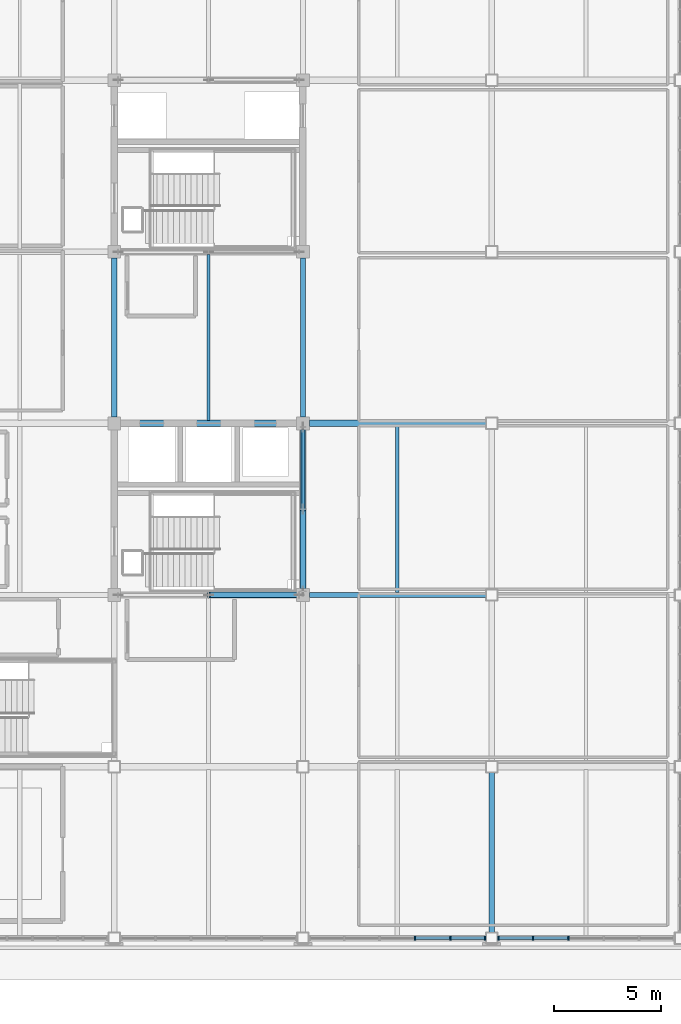
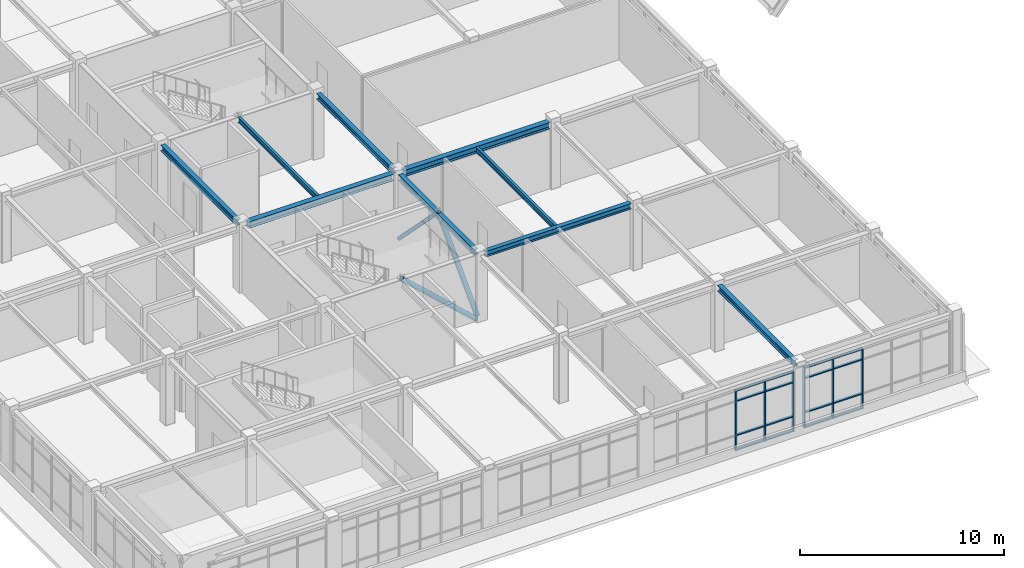
# One storey, part 10 of 64: 25 members, 9 beams, 2 elements without a shape of their own.
"""IFC4 building model written with IfcOpenShell, lengths in metres."""

import ifcopenshell
import ifcopenshell.guid

model = None  # the IFC model being written
_history = None  # IfcOwnerHistory: only IFC2X3 demands one
_inside = {}  # id of a spatial element -> (the spatial element, [elements in it])
_under = {}  # id of a project, library or spatial element -> (it, [spatial elements below it])
_declared = {}  # id of a project -> (the project, [libraries it declares])
_typed = {}  # id of a type object -> (the type object, [elements of that type])
_made_of = {}  # id of a material, layer set ... -> (it, [elements and type objects made of it])


def new_model(schema):
    """Start an empty IFC model of exactly this schema.

    Asked for "IFC4X3", IfcOpenShell would pick the latest addendum, in which some entities
    have other attributes; the version numbers below select the first issue.
    IFC2X3 requires an IfcOwnerHistory on every rooted entity: one is made here for all.
    """
    global model, _history
    if schema == "IFC4X3":
        model = ifcopenshell.file(schema_version=(4, 3, 0, 0))
    else:
        model = ifcopenshell.file(schema=schema)
    _inside.clear()
    _under.clear()
    _declared.clear()
    _typed.clear()
    _made_of.clear()
    _history = None
    if model.schema == "IFC2X3":
        org = make("IfcOrganization", Name="unknown")
        user = make(
            "IfcPersonAndOrganization",
            ThePerson=make("IfcPerson", FamilyName="unknown"),
            TheOrganization=org,
        )
        app = make(
            "IfcApplication",
            ApplicationDeveloper=org,
            Version="unknown",
            ApplicationFullName="unknown",
            ApplicationIdentifier="unknown",
        )
        _history = make(
            "IfcOwnerHistory",
            OwningUser=user,
            OwningApplication=app,
            ChangeAction="ADDED",
            CreationDate=0,
        )
    return model


def make(cls, **values):
    """One entity of the class cls with the attributes given. An attribute that is None is left unset."""
    return model.create_entity(
        cls, **{name: value for name, value in values.items() if value is not None}
    )


def rooted(cls, **values):
    """An entity with a GlobalId (a new one), such as an element, a storey or a relation."""
    return make(cls, GlobalId=ifcopenshell.guid.new(), OwnerHistory=_history, **values)


def si_unit(unit_type, name, prefix=None):
    """IfcSIUnit, for example si_unit("LENGTHUNIT", "METRE", prefix="MILLI")."""
    return make("IfcSIUnit", UnitType=unit_type, Prefix=prefix, Name=name)


def assignment(units):
    """IfcUnitAssignment: the units of a project."""
    return None if units is None else make("IfcUnitAssignment", Units=units)


def point(xyz):
    """IfcCartesianPoint."""
    return None if xyz is None else make("IfcCartesianPoint", Coordinates=xyz)


def direction(xyz):
    """IfcDirection."""
    return None if xyz is None else make("IfcDirection", DirectionRatios=xyz)


def frame(location, z_axis=None, x_axis=None):
    """IfcAxis2Placement3D, a coordinate frame: its origin and axes. An axis left out is left unset."""
    return make(
        "IfcAxis2Placement3D",
        Location=point(location),
        Axis=direction(z_axis),
        RefDirection=direction(x_axis),
    )


def frame_2d(location, x_axis=None):
    """IfcAxis2Placement2D, a coordinate frame in the plane: its origin and x axis."""
    return make(
        "IfcAxis2Placement2D", Location=point(location), RefDirection=direction(x_axis)
    )


def origin():
    """The frame at (0, 0, 0) with its axes left unset."""
    return frame((0.0, 0.0, 0.0))


def origin_2d():
    """The frame at (0, 0) in the plane with its x axis left unset."""
    return frame_2d((0.0, 0.0))


def place(relative_to, where):
    """IfcLocalPlacement: puts the frame where relative to a parent placement (None: the world)."""
    return make(
        "IfcLocalPlacement", PlacementRelTo=relative_to, RelativePlacement=where
    )


def context(
    kind, dimensions, precision=None, world=None, true_north=None, identifier=None
):
    """IfcGeometricRepresentationContext, for example the 3D "Model" context."""
    return make(
        "IfcGeometricRepresentationContext",
        ContextIdentifier=identifier,
        ContextType=kind,
        CoordinateSpaceDimension=dimensions,
        Precision=precision,
        WorldCoordinateSystem=world,
        TrueNorth=true_north,
    )


def subcontext(parent, identifier, kind, view, scale=None):
    """IfcGeometricRepresentationSubContext, for example "Body" below "Model"."""
    return make(
        "IfcGeometricRepresentationSubContext",
        ContextIdentifier=identifier,
        ContextType=kind,
        ParentContext=parent,
        TargetScale=scale,
        TargetView=view,
    )


def project(units=None, contexts=None):
    """IfcProject with its units and contexts."""
    return rooted(
        "IfcProject",
        Name="project",
        RepresentationContexts=contexts,
        UnitsInContext=assignment(units),
    )


def spatial(cls, under=None, at=None, **own):
    """A site, building, storey or space (cls), placed at a placement, below another one or the project."""
    s = rooted(cls, ObjectPlacement=at, **own)
    if under is not None:
        _under.setdefault(under.id(), (under, []))[1].append(s)
    return s


def profile(cls, at=None, kind="AREA", **sizes):
    """A parametric profile (cls). Its sizes go by their IFC names, for example OverallWidth=200.0."""
    return make(cls, ProfileType=kind, Position=at, **sizes)


def rectangle(**sizes):
    """IfcRectangleProfileDef."""
    return profile("IfcRectangleProfileDef", **sizes)


def hollow_circle(**sizes):
    """IfcCircleHollowProfileDef."""
    return profile("IfcCircleHollowProfileDef", **sizes)


def i_section(**sizes):
    """IfcIShapeProfileDef."""
    return profile("IfcIShapeProfileDef", **sizes)


def extrude(swept, where, along, depth):
    """IfcExtrudedAreaSolid: the profile swept, set in the frame where, extruded along a direction by depth."""
    return make(
        "IfcExtrudedAreaSolid",
        SweptArea=swept,
        Position=where,
        ExtrudedDirection=direction(along),
        Depth=depth,
    )


def shape(context_of_items, identifier, shape_type, items):
    """IfcShapeRepresentation: the items that make up one representation, for example the "Body"."""
    return make(
        "IfcShapeRepresentation",
        ContextOfItems=context_of_items,
        RepresentationIdentifier=identifier,
        RepresentationType=shape_type,
        Items=items,
    )


def material(Name=None, Category=None):
    """IfcMaterial."""
    return make("IfcMaterial", Name=Name, Category=Category)


def material_profile(
    of_material, cross_section, Name=None, Category=None, Priority=None
):
    """IfcMaterialProfile: a cross section and its material."""
    return make(
        "IfcMaterialProfile",
        Name=Name,
        Material=of_material,
        Profile=cross_section,
        Priority=Priority,
        Category=Category,
    )


def profile_set(profiles, Name=None, composite=None):
    """IfcMaterialProfileSet."""
    return make(
        "IfcMaterialProfileSet",
        Name=Name,
        MaterialProfiles=profiles,
        CompositeProfile=composite,
    )


def made_of(thing, what):
    """Note that an element or type object is made of a material, layer set ...; save() writes the relation."""
    if what is not None:
        _made_of.setdefault(what.id(), (what, []))[1].append(thing)
    return thing


def type_object(cls, material=None, **own):
    """A type object (cls), such as IfcWallType, which elements share."""
    return made_of(rooted(cls, **own), material)


def element(
    cls,
    number,
    at=None,
    inside=None,
    cuts=None,
    type_object=None,
    material=None,
    context=None,
    identifier="Body",
    shape_type=None,
    held_by="IfcProductDefinitionShape",
    body=None,
    shapes=None,
    **own,
):
    """One element of the class cls, such as IfcWall. Its Tag is "e" and its number.

    at: its placement. inside: the storey or other place that contains it. cuts: it is an
    opening in that element (IfcRelVoidsElement). A single representation is given by context,
    identifier, shape_type and body (its items); several are given by shapes. held_by: the class
    of the entity that holds the representations. save() writes the other relations.
    """
    e = rooted(cls, Tag="e%d" % number, ObjectPlacement=at, **own)
    if body is not None:
        shapes = [shape(context, identifier, shape_type, body)]
    if shapes is not None:
        e.Representation = make(held_by, Representations=shapes)
    if inside is not None:
        _inside.setdefault(inside.id(), (inside, []))[1].append(e)
    if cuts is not None:
        rooted(
            "IfcRelVoidsElement", RelatingBuildingElement=cuts, RelatedOpeningElement=e
        )
    if type_object is not None:
        _typed.setdefault(type_object.id(), (type_object, []))[1].append(e)
    return made_of(e, material)


def aggregate(whole, parts):
    """IfcRelAggregates: a whole, such as a stair, and the parts it consists of."""
    return rooted("IfcRelAggregates", RelatingObject=whole, RelatedObjects=parts)


def save(model, path):
    """Write the relations noted so far, then the file.

    IfcRelAggregates (storeys below a building ...), IfcRelContainedInSpatialStructure (elements
    in a storey), IfcRelDefinesByType, IfcRelAssociatesMaterial and IfcRelDeclares: one each for
    every whole, place, type object, material and project.
    """
    for whole, parts in _under.values():
        aggregate(whole, parts)
    for where, things in _inside.values():
        rooted(
            "IfcRelContainedInSpatialStructure",
            RelatedElements=things,
            RelatingStructure=where,
        )
    for kind, things in _typed.values():
        rooted("IfcRelDefinesByType", RelatedObjects=things, RelatingType=kind)
    for what, things in _made_of.values():
        rooted("IfcRelAssociatesMaterial", RelatedObjects=things, RelatingMaterial=what)
    for by, libraries in _declared.values():
        rooted("IfcRelDeclares", RelatingContext=by, RelatedDefinitions=libraries)
    model.write(path)


model = new_model("IFC4")

# Units and contexts
model_context = context("Model", 3, precision=1e-05, world=origin(), true_north=direction((0.0, 1.0)))
body_context = subcontext(model_context, "Body", "Model", "MODEL_VIEW")
ifc_project = project(units=[si_unit("LENGTHUNIT", "METRE"), si_unit("AREAUNIT", "SQUARE_METRE"), si_unit("VOLUMEUNIT", "CUBIC_METRE"), si_unit("PLANEANGLEUNIT", "RADIAN"), si_unit("MASSUNIT", "GRAM", prefix="KILO")], contexts=[model_context])

# Site, building, storey
site_placement = place(None, origin())
site = spatial("IfcSite", under=ifc_project, at=site_placement, CompositionType="ELEMENT")
building_placement = place(site_placement, origin())
building = spatial("IfcBuilding", under=site, at=building_placement, Name="Zhaolan Boulevard Law Courts", CompositionType="ELEMENT")
storey_placement = place(building_placement, frame((0.0, 0.0, 20.39990234375)))
storey = spatial("IfcBuildingStorey", under=building, at=storey_placement, Name="L04", CompositionType="ELEMENT", Elevation=20.39990234375)

# Members
ifc_material_1 = material(Name="Structural steel Q355B", Category="steel")
ifc_material_profile_1 = material_profile(ifc_material_1, hollow_circle(Radius=0.109619140625, WallThickness=0.008056640625, at=origin_2d()), Name="CHS219x8")
ifc_profile_set_1 = profile_set([ifc_material_profile_1], Name="Structural steel Q355B")
member_type_1 = type_object("IfcMemberType", Name="BRACE CHS219", PredefinedType="BRACE", material=ifc_profile_set_1)
member_1_placement = place(storey_placement, frame((26.39990234375, 53.820068359375, 0.030029296875), z_axis=(0.0, -0.700651844954, 0.713503323161), x_axis=(1.0, 0.0, 0.0)))
element("IfcMember", 1, at=member_1_placement, inside=storey, type_object=member_type_1, Name="Core Brace BR-W1-L04-E2", PredefinedType="BRACE", context=body_context, shape_type="SweptSolid", body=[
    extrude(hollow_circle(Radius=0.109619140625, WallThickness=0.008056640625, at=origin_2d()), origin(), (0.0, 0.0, 1.0), 5.4521484375),
])
ifc_material_2 = material(Name="Structural steel Q355B", Category="steel")
ifc_material_profile_2 = material_profile(ifc_material_2, hollow_circle(Radius=0.136474609375, WallThickness=0.010009765625, at=origin_2d()), Name="CHS273x10")
ifc_profile_set_2 = profile_set([ifc_material_profile_2], Name="Structural steel Q355B")
member_type_2 = type_object("IfcMemberType", Name="BRACE CHS273", PredefinedType="BRACE", material=ifc_profile_set_2)
member_2_placement = place(storey_placement, frame((26.219970703125, 46.0, 0.030029296875), z_axis=(-0.73525664892, 0.0, 0.677788802076), x_axis=(0.0, -1.0, 0.0)))
element("IfcMember", 2, at=member_2_placement, inside=storey, type_object=member_type_2, Name="Core Brace BR-W1-L04-S2", PredefinedType="BRACE", context=body_context, shape_type="SweptSolid", body=[
    extrude(hollow_circle(Radius=0.136474609375, WallThickness=0.010009765625, at=origin_2d()), origin(), (0.0, 0.0, 1.0), 5.739501953125),
])
member_3_placement = place(storey_placement, frame((26.39990234375, 46.179931640625, 0.030029296875), z_axis=(0.0, 0.700651844954, 0.713503323161), x_axis=(-1.0, 0.0, 0.0)))
element("IfcMember", 3, at=member_3_placement, inside=storey, type_object=member_type_2, Name="Core Brace BR-W1-L04-E1", PredefinedType="BRACE", context=body_context, shape_type="SweptSolid", body=[
    extrude(hollow_circle(Radius=0.136474609375, WallThickness=0.010009765625, at=origin_2d()), origin(), (0.0, 0.0, 1.0), 5.4521484375),
])

# Curtain wall, members
ifc_material_3 = material(Name="Thermally broken aluminium and low-E glazing", Category="aluminium")
curtain_wall_type_1 = type_object("IfcCurtainWallType", Name="CURTAIN WALL M20", PredefinedType="USERDEFINED", material=ifc_material_3)
curtain_wall_1_placement = place(storey_placement, origin())
curtain_wall_1 = element("IfcCurtainWall", 4, at=curtain_wall_1_placement, inside=storey, type_object=curtain_wall_type_1, Name="Curtain Wall CW-L04-188", ObjectType="CURTAIN WALL", PredefinedType="USERDEFINED")
ifc_material_4 = material(Name="Fluorocarbon-coated aluminium 6063-T6", Category="aluminium")
ifc_material_profile_3 = material_profile(ifc_material_4, rectangle(XDim=0.179931640625, YDim=0.06494140625, at=origin_2d()), Name="AL65x180")
ifc_profile_set_3 = profile_set([ifc_material_profile_3], Name="Fluorocarbon-coated aluminium 6063-T6")
member_type_3 = type_object("IfcMemberType", Name="CWMULLION 65X180", PredefinedType="MULLION", material=ifc_profile_set_3)
member_4_placement = place(storey_placement, frame((31.62451171875, 30.0, 0.0), z_axis=(0.0, 0.0, 1.0), x_axis=(0.0, 1.0, 0.0)))
member_4 = element("IfcMember", 5, at=member_4_placement, type_object=member_type_3, Name="CW-L04-188 mullion 4", PredefinedType="MULLION", context=body_context, shape_type="SweptSolid", body=[
    extrude(rectangle(XDim=0.179931640625, YDim=0.06494140625, at=origin_2d()), origin(), (0.0, 0.0, 1.0), 3.593017578125),
])
member_5_placement = place(storey_placement, frame((33.273681640625, 30.0, 0.0), z_axis=(0.0, 0.0, 1.0), x_axis=(0.0, 1.0, 0.0)))
member_5 = element("IfcMember", 6, at=member_5_placement, type_object=member_type_3, Name="CW-L04-188 mullion 5", PredefinedType="MULLION", context=body_context, shape_type="SweptSolid", body=[
    extrude(rectangle(XDim=0.179931640625, YDim=0.06494140625, at=origin_2d()), origin(), (0.0, 0.0, 1.0), 3.593017578125),
])
member_6_placement = place(storey_placement, frame((34.890380859375, 30.0, 0.0), z_axis=(0.0, 0.0, 1.0), x_axis=(0.0, 1.0, 0.0)))
member_6 = element("IfcMember", 7, at=member_6_placement, type_object=member_type_3, Name="CW-L04-188 mullion 6", PredefinedType="MULLION", context=body_context, shape_type="SweptSolid", body=[
    extrude(rectangle(XDim=0.179931640625, YDim=0.06494140625, at=origin_2d()), origin(), (0.0, 0.0, 1.0), 3.593017578125),
])

ifc_material_5 = material(Name="Thermally broken aluminium and low-E glazing", Category="aluminium")
curtain_wall_type_2 = type_object("IfcCurtainWallType", Name="CURTAIN WALL M21", PredefinedType="USERDEFINED", material=ifc_material_5)
curtain_wall_2_placement = place(storey_placement, origin())
curtain_wall_2 = element("IfcCurtainWall", 8, at=curtain_wall_2_placement, inside=storey, type_object=curtain_wall_type_2, Name="Curtain Wall CW-L04-189", ObjectType="CURTAIN WALL", PredefinedType="USERDEFINED")
member_7_placement = place(storey_placement, frame((35.509521484375, 30.0, 0.0), z_axis=(0.0, 0.0, 1.0), x_axis=(0.0, 1.0, 0.0)))
member_7 = element("IfcMember", 9, at=member_7_placement, type_object=member_type_3, Name="CW-L04-189 mullion 1", PredefinedType="MULLION", context=body_context, shape_type="SweptSolid", body=[
    extrude(rectangle(XDim=0.179931640625, YDim=0.06494140625, at=origin_2d()), origin(), (0.0, 0.0, 1.0), 3.593017578125),
])
member_8_placement = place(storey_placement, frame((37.126220703125, 30.0, 0.0), z_axis=(0.0, 0.0, 1.0), x_axis=(0.0, 1.0, 0.0)))
member_8 = element("IfcMember", 10, at=member_8_placement, type_object=member_type_3, Name="CW-L04-189 mullion 2", PredefinedType="MULLION", context=body_context, shape_type="SweptSolid", body=[
    extrude(rectangle(XDim=0.179931640625, YDim=0.06494140625, at=origin_2d()), origin(), (0.0, 0.0, 1.0), 3.593017578125),
])
member_9_placement = place(storey_placement, frame((38.775390625, 30.0, 0.0), z_axis=(0.0, 0.0, 1.0), x_axis=(0.0, 1.0, 0.0)))
member_9 = element("IfcMember", 11, at=member_9_placement, type_object=member_type_3, Name="CW-L04-189 mullion 3", PredefinedType="MULLION", context=body_context, shape_type="SweptSolid", body=[
    extrude(rectangle(XDim=0.179931640625, YDim=0.06494140625, at=origin_2d()), origin(), (0.0, 0.0, 1.0), 3.593017578125),
])

# Member
ifc_material_6 = material(Name="Fluorocarbon-coated aluminium 6063-T6", Category="aluminium")
ifc_material_profile_4 = material_profile(ifc_material_6, rectangle(XDim=0.139892578125, YDim=0.06494140625, at=origin_2d()), Name="AL65x140")
ifc_profile_set_4 = profile_set([ifc_material_profile_4], Name="Fluorocarbon-coated aluminium 6063-T6")
member_type_4 = type_object("IfcMemberType", Name="CWTRANSOM 65X140", PredefinedType="USERDEFINED", material=ifc_profile_set_4)
member_10_placement = place(storey_placement, frame((31.656982421875, 30.0, 0.03271484375), z_axis=(1.0, 0.0, 0.0), x_axis=(0.0, 1.0, 0.0)))
member_10 = element("IfcMember", 12, at=member_10_placement, type_object=member_type_4, Name="CW-L04-188 transom 4.1", ObjectType="TRANSOM", PredefinedType="USERDEFINED", context=body_context, shape_type="SweptSolid", body=[
    extrude(rectangle(XDim=0.139892578125, YDim=0.06494140625, at=origin_2d()), origin(), (0.0, 0.0, 1.0), 1.584228515625),
])

member_11_placement = place(storey_placement, frame((31.656982421875, 30.0, 0.900146484375), z_axis=(1.0, 0.0, 0.0), x_axis=(0.0, 1.0, 0.0)))
member_11 = element("IfcMember", 13, at=member_11_placement, type_object=member_type_4, Name="CW-L04-188 transom 4.2", ObjectType="TRANSOM", PredefinedType="USERDEFINED", context=body_context, shape_type="SweptSolid", body=[
    extrude(rectangle(XDim=0.139892578125, YDim=0.06494140625, at=origin_2d()), origin(), (0.0, 0.0, 1.0), 1.584228515625),
])

member_12_placement = place(storey_placement, frame((31.656982421875, 30.0, 2.943115234375), z_axis=(1.0, 0.0, 0.0), x_axis=(0.0, 1.0, 0.0)))
member_12 = element("IfcMember", 14, at=member_12_placement, type_object=member_type_4, Name="CW-L04-188 transom 4.3", ObjectType="TRANSOM", PredefinedType="USERDEFINED", context=body_context, shape_type="SweptSolid", body=[
    extrude(rectangle(XDim=0.139892578125, YDim=0.06494140625, at=origin_2d()), origin(), (0.0, 0.0, 1.0), 1.584228515625),
])

member_13_placement = place(storey_placement, frame((31.656982421875, 30.0, 3.560546875), z_axis=(1.0, 0.0, 0.0), x_axis=(0.0, 1.0, 0.0)))
member_13 = element("IfcMember", 15, at=member_13_placement, type_object=member_type_4, Name="CW-L04-188 transom 4.4", ObjectType="TRANSOM", PredefinedType="USERDEFINED", context=body_context, shape_type="SweptSolid", body=[
    extrude(rectangle(XDim=0.139892578125, YDim=0.06494140625, at=origin_2d()), origin(), (0.0, 0.0, 1.0), 1.584228515625),
])

member_14_placement = place(storey_placement, frame((33.306396484375, 30.0, 0.03271484375), z_axis=(1.0, 0.0, 0.0), x_axis=(0.0, 1.0, 0.0)))
member_14 = element("IfcMember", 16, at=member_14_placement, type_object=member_type_4, Name="CW-L04-188 transom 5.1", ObjectType="TRANSOM", PredefinedType="USERDEFINED", context=body_context, shape_type="SweptSolid", body=[
    extrude(rectangle(XDim=0.139892578125, YDim=0.06494140625, at=origin_2d()), origin(), (0.0, 0.0, 1.0), 1.551513671875),
])

member_15_placement = place(storey_placement, frame((33.306396484375, 30.0, 0.900146484375), z_axis=(1.0, 0.0, 0.0), x_axis=(0.0, 1.0, 0.0)))
member_15 = element("IfcMember", 17, at=member_15_placement, type_object=member_type_4, Name="CW-L04-188 transom 5.2", ObjectType="TRANSOM", PredefinedType="USERDEFINED", context=body_context, shape_type="SweptSolid", body=[
    extrude(rectangle(XDim=0.139892578125, YDim=0.06494140625, at=origin_2d()), origin(), (0.0, 0.0, 1.0), 1.551513671875),
])

member_16_placement = place(storey_placement, frame((33.306396484375, 30.0, 2.943115234375), z_axis=(1.0, 0.0, 0.0), x_axis=(0.0, 1.0, 0.0)))
member_16 = element("IfcMember", 18, at=member_16_placement, type_object=member_type_4, Name="CW-L04-188 transom 5.3", ObjectType="TRANSOM", PredefinedType="USERDEFINED", context=body_context, shape_type="SweptSolid", body=[
    extrude(rectangle(XDim=0.139892578125, YDim=0.06494140625, at=origin_2d()), origin(), (0.0, 0.0, 1.0), 1.551513671875),
])

member_17_placement = place(storey_placement, frame((33.306396484375, 30.0, 3.560546875), z_axis=(1.0, 0.0, 0.0), x_axis=(0.0, 1.0, 0.0)))
member_17 = element("IfcMember", 19, at=member_17_placement, type_object=member_type_4, Name="CW-L04-188 transom 5.4", ObjectType="TRANSOM", PredefinedType="USERDEFINED", context=body_context, shape_type="SweptSolid", body=[
    extrude(rectangle(XDim=0.139892578125, YDim=0.06494140625, at=origin_2d()), origin(), (0.0, 0.0, 1.0), 1.551513671875),
])

aggregate(curtain_wall_1, [member_4, member_5, member_6, member_10, member_11, member_12, member_13, member_14, member_15, member_16, member_17])

member_18_placement = place(storey_placement, frame((35.5419921875, 30.0, 0.03271484375), z_axis=(1.0, 0.0, 0.0), x_axis=(0.0, 1.0, 0.0)))
member_18 = element("IfcMember", 20, at=member_18_placement, type_object=member_type_4, Name="CW-L04-189 transom 1.1", ObjectType="TRANSOM", PredefinedType="USERDEFINED", context=body_context, shape_type="SweptSolid", body=[
    extrude(rectangle(XDim=0.139892578125, YDim=0.06494140625, at=origin_2d()), origin(), (0.0, 0.0, 1.0), 1.5517578125),
])

member_19_placement = place(storey_placement, frame((35.5419921875, 30.0, 0.900146484375), z_axis=(1.0, 0.0, 0.0), x_axis=(0.0, 1.0, 0.0)))
member_19 = element("IfcMember", 21, at=member_19_placement, type_object=member_type_4, Name="CW-L04-189 transom 1.2", ObjectType="TRANSOM", PredefinedType="USERDEFINED", context=body_context, shape_type="SweptSolid", body=[
    extrude(rectangle(XDim=0.139892578125, YDim=0.06494140625, at=origin_2d()), origin(), (0.0, 0.0, 1.0), 1.5517578125),
])

member_20_placement = place(storey_placement, frame((35.5419921875, 30.0, 2.943115234375), z_axis=(1.0, 0.0, 0.0), x_axis=(0.0, 1.0, 0.0)))
member_20 = element("IfcMember", 22, at=member_20_placement, type_object=member_type_4, Name="CW-L04-189 transom 1.3", ObjectType="TRANSOM", PredefinedType="USERDEFINED", context=body_context, shape_type="SweptSolid", body=[
    extrude(rectangle(XDim=0.139892578125, YDim=0.06494140625, at=origin_2d()), origin(), (0.0, 0.0, 1.0), 1.5517578125),
])

member_21_placement = place(storey_placement, frame((35.5419921875, 30.0, 3.560546875), z_axis=(1.0, 0.0, 0.0), x_axis=(0.0, 1.0, 0.0)))
member_21 = element("IfcMember", 23, at=member_21_placement, type_object=member_type_4, Name="CW-L04-189 transom 1.4", ObjectType="TRANSOM", PredefinedType="USERDEFINED", context=body_context, shape_type="SweptSolid", body=[
    extrude(rectangle(XDim=0.139892578125, YDim=0.06494140625, at=origin_2d()), origin(), (0.0, 0.0, 1.0), 1.5517578125),
])

member_22_placement = place(storey_placement, frame((37.15869140625, 30.0, 0.03271484375), z_axis=(1.0, 0.0, 0.0), x_axis=(0.0, 1.0, 0.0)))
member_22 = element("IfcMember", 24, at=member_22_placement, type_object=member_type_4, Name="CW-L04-189 transom 2.1", ObjectType="TRANSOM", PredefinedType="USERDEFINED", context=body_context, shape_type="SweptSolid", body=[
    extrude(rectangle(XDim=0.139892578125, YDim=0.06494140625, at=origin_2d()), origin(), (0.0, 0.0, 1.0), 1.584228515625),
])

member_23_placement = place(storey_placement, frame((37.15869140625, 30.0, 0.900146484375), z_axis=(1.0, 0.0, 0.0), x_axis=(0.0, 1.0, 0.0)))
member_23 = element("IfcMember", 25, at=member_23_placement, type_object=member_type_4, Name="CW-L04-189 transom 2.2", ObjectType="TRANSOM", PredefinedType="USERDEFINED", context=body_context, shape_type="SweptSolid", body=[
    extrude(rectangle(XDim=0.139892578125, YDim=0.06494140625, at=origin_2d()), origin(), (0.0, 0.0, 1.0), 1.584228515625),
])

member_24_placement = place(storey_placement, frame((37.15869140625, 30.0, 2.943115234375), z_axis=(1.0, 0.0, 0.0), x_axis=(0.0, 1.0, 0.0)))
member_24 = element("IfcMember", 26, at=member_24_placement, type_object=member_type_4, Name="CW-L04-189 transom 2.3", ObjectType="TRANSOM", PredefinedType="USERDEFINED", context=body_context, shape_type="SweptSolid", body=[
    extrude(rectangle(XDim=0.139892578125, YDim=0.06494140625, at=origin_2d()), origin(), (0.0, 0.0, 1.0), 1.584228515625),
])

member_25_placement = place(storey_placement, frame((37.15869140625, 30.0, 3.560546875), z_axis=(1.0, 0.0, 0.0), x_axis=(0.0, 1.0, 0.0)))
member_25 = element("IfcMember", 27, at=member_25_placement, type_object=member_type_4, Name="CW-L04-189 transom 2.4", ObjectType="TRANSOM", PredefinedType="USERDEFINED", context=body_context, shape_type="SweptSolid", body=[
    extrude(rectangle(XDim=0.139892578125, YDim=0.06494140625, at=origin_2d()), origin(), (0.0, 0.0, 1.0), 1.584228515625),
])

aggregate(curtain_wall_2, [member_7, member_8, member_9, member_18, member_19, member_20, member_21, member_22, member_23, member_24, member_25])

# Beams
ifc_material_7 = material(Name="Structural steel Q355B", Category="steel")
ifc_material_profile_5 = material_profile(ifc_material_7, i_section(OverallWidth=0.25, OverallDepth=0.340087890625, WebThickness=0.009033203125, FlangeThickness=0.013916015625, FilletRadius=0.01611328125, at=origin_2d()), Name="HM340x250")
ifc_profile_set_5 = profile_set([ifc_material_profile_5], Name="Structural steel Q355B")
beam_type_1 = type_object("IfcBeamType", Name="GIRDER HM340", PredefinedType="BEAM", material=ifc_profile_set_5)
for number, where, z_axis, x_axis, name in (
    (28, (17.60009765625, 54.2958984375, 3.778076171875), (0.0, 1.0, 0.0), (-1.0, 0.0, 0.0), "Beam BY-L05-3-H-J"),
    (29, (26.39990234375, 46.2958984375, 3.778076171875), (0.0, 1.0, 0.0), (-1.0, 0.0, 0.0), "Beam BY-L05-4-G-H"),
    (30, (26.39990234375, 54.2958984375, 3.778076171875), (0.0, 1.0, 0.0), (-1.0, 0.0, 0.0), "Beam BY-L05-4-H-J"),
):
    element("IfcBeam", number, at=place(storey_placement, frame(where, z_axis=z_axis, x_axis=x_axis)), inside=storey, type_object=beam_type_1, Name=name, PredefinedType="BEAM", context=body_context, shape_type="SweptSolid", body=[
        extrude(i_section(OverallWidth=0.25, OverallDepth=0.340087890625, WebThickness=0.009033203125, FlangeThickness=0.013916015625, FilletRadius=0.01611328125, at=origin_2d()), origin(), (0.0, 0.0, 1.0), 7.408203125),
    ])
beam_1_placement = place(storey_placement, frame((35.199951171875, 30.27099609375, 3.778076171875), z_axis=(0.0, 1.0, 0.0), x_axis=(-1.0, 0.0, 0.0)))
element("IfcBeam", 31, at=beam_1_placement, inside=storey, type_object=beam_type_1, Name="Beam BY-L05-5-E-F", PredefinedType="BEAM", context=body_context, shape_type="SweptSolid", body=[
    extrude(i_section(OverallWidth=0.25, OverallDepth=0.340087890625, WebThickness=0.009033203125, FlangeThickness=0.013916015625, FilletRadius=0.01611328125, at=origin_2d()), origin(), (0.0, 0.0, 1.0), 7.4580078125),
])
ifc_material_8 = material(Name="Structural steel Q355B", Category="steel")
ifc_material_profile_6 = material_profile(ifc_material_8, i_section(OverallWidth=0.300048828125, OverallDepth=0.389892578125, WebThickness=0.010009765625, FlangeThickness=0.01611328125, FilletRadius=0.01806640625, at=origin_2d()), Name="HM390x300")
ifc_profile_set_6 = profile_set([ifc_material_profile_6], Name="Structural steel Q355B")
beam_type_2 = type_object("IfcBeamType", Name="GIRDER HM390", PredefinedType="BEAM", material=ifc_profile_set_6)
beam_2_placement = place(storey_placement, frame((17.89599609375, 54.0, 3.753173828125), z_axis=(1.0, 0.0, 0.0), x_axis=(0.0, 1.0, 0.0)))
element("IfcBeam", 32, at=beam_2_placement, inside=storey, type_object=beam_type_2, Name="Beam BX-L05-3-4-H", PredefinedType="BEAM", context=body_context, shape_type="SweptSolid", body=[
    extrude(i_section(OverallWidth=0.300048828125, OverallDepth=0.389892578125, WebThickness=0.010009765625, FlangeThickness=0.01611328125, FilletRadius=0.01806640625, at=origin_2d()), origin(), (0.0, 0.0, 1.0), 8.2080078125),
])
beam_3_placement = place(storey_placement, frame((26.696044921875, 54.0, 3.753173828125), z_axis=(1.0, 0.0, 0.0), x_axis=(0.0, 1.0, 0.0)))
element("IfcBeam", 33, at=beam_3_placement, inside=storey, type_object=beam_type_2, Name="Beam BX-L05-4-5-H", PredefinedType="BEAM", context=body_context, shape_type="SweptSolid", body=[
    extrude(i_section(OverallWidth=0.300048828125, OverallDepth=0.389892578125, WebThickness=0.010009765625, FlangeThickness=0.01611328125, FilletRadius=0.01806640625, at=origin_2d()), origin(), (0.0, 0.0, 1.0), 8.23291015625),
])
ifc_material_9 = material(Name="Structural steel Q355B", Category="steel")
ifc_material_profile_7 = material_profile(ifc_material_9, i_section(OverallWidth=0.14990234375, OverallDepth=0.300048828125, WebThickness=0.006591796875, FlangeThickness=0.009033203125, FilletRadius=0.010986328125, at=origin_2d()), Name="HN300x150")
ifc_profile_set_7 = profile_set([ifc_material_profile_7], Name="Structural steel Q355B")
beam_type_3 = type_object("IfcBeamType", Name="JOIST HN300", PredefinedType="JOIST", material=ifc_profile_set_7)
for number, where, z_axis, x_axis, name in (
    (34, (22.0, 54.14599609375, 3.798095703125), (0.0, 1.0, 0.0), (-1.0, 0.0, 0.0), "Composite Joist J-L05-3H"),
    (35, (30.800048828125, 46.12109375, 3.798095703125), (0.0, 1.0, 0.0), (-1.0, 0.0, 0.0), "Composite Joist J-L05-4G"),
):
    element("IfcBeam", number, at=place(storey_placement, frame(where, z_axis=z_axis, x_axis=x_axis)), inside=storey, type_object=beam_type_3, Name=name, PredefinedType="JOIST", context=body_context, shape_type="SweptSolid", body=[
        extrude(i_section(OverallWidth=0.14990234375, OverallDepth=0.300048828125, WebThickness=0.006591796875, FlangeThickness=0.009033203125, FilletRadius=0.010986328125, at=origin_2d()), origin(), (0.0, 0.0, 1.0), 7.73291015625),
    ])
ifc_material_10 = material(Name="Structural steel Q355B", Category="steel")
ifc_material_profile_8 = material_profile(ifc_material_10, i_section(OverallWidth=0.25, OverallDepth=0.340087890625, WebThickness=0.009033203125, FlangeThickness=0.013916015625, FilletRadius=0.01611328125, at=origin_2d()), Name="HM340x250")
ifc_profile_set_8 = profile_set([ifc_material_profile_8], Name="Structural steel Q355B")
beam_type_4 = type_object("IfcBeamType", Name="SPANDREL HM340", PredefinedType="SPANDREL", material=ifc_profile_set_8)
beam_4_placement = place(storey_placement, frame((26.696044921875, 46.0, 3.778076171875), z_axis=(1.0, 0.0, 0.0), x_axis=(0.0, 1.0, 0.0)))
element("IfcBeam", 36, at=beam_4_placement, inside=storey, type_object=beam_type_4, Name="Beam BX-L05-4-5-G", PredefinedType="SPANDREL", context=body_context, shape_type="SweptSolid", body=[
    extrude(i_section(OverallWidth=0.25, OverallDepth=0.340087890625, WebThickness=0.009033203125, FlangeThickness=0.013916015625, FilletRadius=0.01611328125, at=origin_2d()), origin(), (0.0, 0.0, 1.0), 8.23291015625),
])

save(model, "model.ifc")
